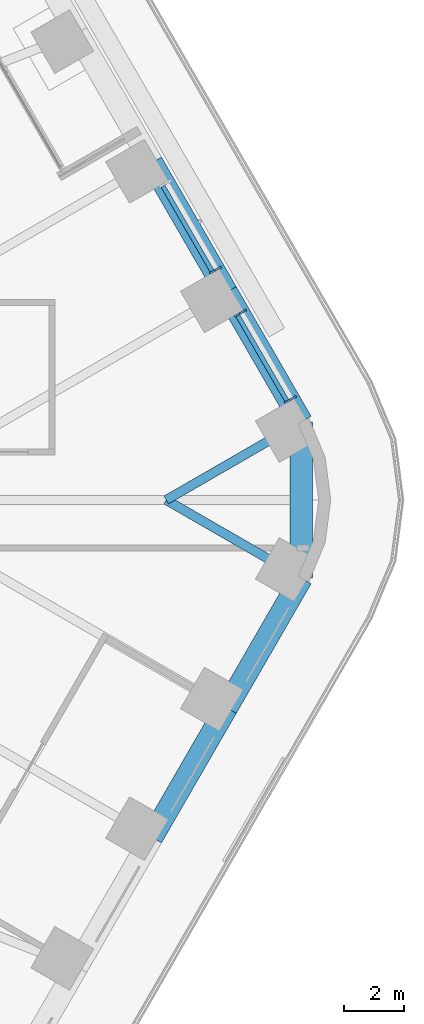
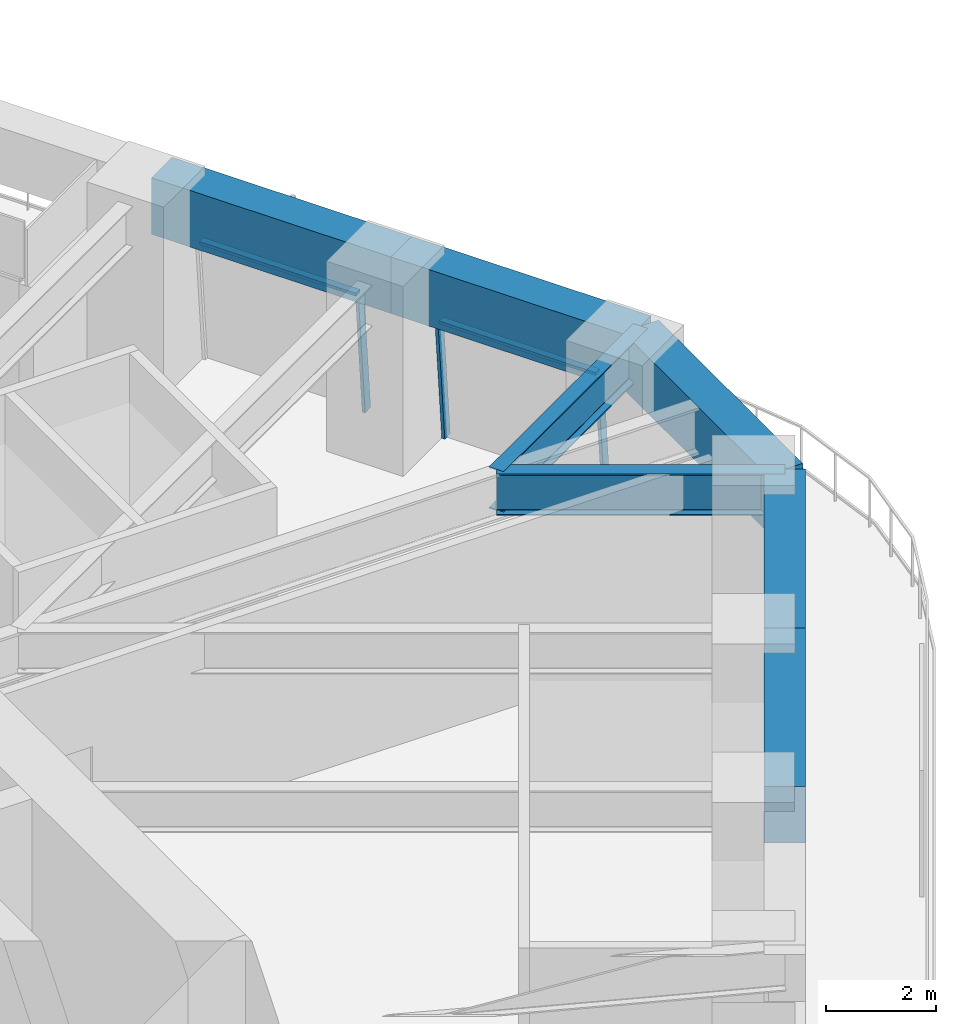
# One storey, part 14 of 24: 7 beams, 5 members, 2 elements without a shape of their own.
"""IFC4 building model written with IfcOpenShell, lengths in metres."""

from ifc_helpers import new_model, si_unit, direction, frame, origin, origin_2d, place, context, subcontext, project, spatial, rectangle, i_section, extrude, material, material_profile, profile_set, type_object, element, aggregate, save


model = new_model("IFC4")

# Units and contexts
model_context = context("Model", 3, precision=1e-05, world=origin(), true_north=direction((0.0, 1.0)))
body_context = subcontext(model_context, "Body", "Model", "MODEL_VIEW")
ifc_project = project(units=[si_unit("LENGTHUNIT", "METRE"), si_unit("AREAUNIT", "SQUARE_METRE"), si_unit("VOLUMEUNIT", "CUBIC_METRE"), si_unit("PLANEANGLEUNIT", "RADIAN"), si_unit("MASSUNIT", "GRAM", prefix="KILO")], contexts=[model_context])

# Site, building, storey
site_placement = place(None, origin())
site = spatial("IfcSite", under=ifc_project, at=site_placement, CompositionType="ELEMENT")
building_placement = place(site_placement, origin())
building = spatial("IfcBuilding", under=site, at=building_placement, Name="Tarfa Lantern Tower", CompositionType="ELEMENT")
storey_placement = place(building_placement, frame((0.0, 0.0, 153.10009765625)))
storey = spatial("IfcBuildingStorey", under=building, at=storey_placement, Name="L34", CompositionType="ELEMENT", Elevation=153.10009765625)

# Curtain wall, members
ifc_material_1 = material(Name="Aluminium framed curtain wall", Category="aluminium")
curtain_wall_type = type_object("IfcCurtainWallType", Name="CW2 CANTED GLAZING MID ZONE 2750", PredefinedType="USERDEFINED", material=ifc_material_1)
curtain_wall_1_placement = place(storey_placement, origin())
curtain_wall_1 = element("IfcCurtainWall", 1, at=curtain_wall_1_placement, inside=storey, type_object=curtain_wall_type, Name="CW2 NE L34", ObjectType="CURTAIN WALL", PredefinedType="USERDEFINED")
ifc_material_2 = material(Name="Aluminium mullion", Category="aluminium")
ifc_material_profile_1 = material_profile(ifc_material_2, rectangle(XDim=0.06494140625, YDim=0.199951171875, at=origin_2d()), Name="AL MULLION 65x200")
ifc_profile_set_1 = profile_set([ifc_material_profile_1], Name="Aluminium mullion")
member_type_1 = type_object("IfcMemberType", Name="CWM1 MULLION 65x200", PredefinedType="MULLION", material=ifc_profile_set_1)
member_1_placement = place(storey_placement, frame((34.282470703125, 3.4208984375, 0.0), z_axis=(-0.078422950161, -0.045267813396, 0.995891894715), x_axis=(0.499919672301, -0.866071776036, 0.0)))
member_1 = element("IfcMember", 2, at=member_1_placement, type_object=member_type_1, Name="CW2 mullion 1", PredefinedType="MULLION", context=body_context, shape_type="SweptSolid", body=[
    extrude(rectangle(XDim=0.06494140625, YDim=0.199951171875, at=origin_2d()), origin(), (0.0, 0.0, 1.0), 2.76123046875),
])
member_2_placement = place(storey_placement, frame((32.613037109375, 6.312255859375, 0.0), z_axis=(-0.078335079308, -0.045268127094, 0.995898796073), x_axis=(0.500342721131, -0.865827443207, 0.0)))
member_2 = element("IfcMember", 3, at=member_2_placement, type_object=member_type_1, Name="CW2 mullion 2", PredefinedType="MULLION", context=body_context, shape_type="SweptSolid", body=[
    extrude(rectangle(XDim=0.06494140625, YDim=0.199951171875, at=origin_2d()), origin(), (0.0, 0.0, 1.0), 2.76123046875),
])

# Curtain wall, member
curtain_wall_2_placement = place(storey_placement, origin())
curtain_wall_2 = element("IfcCurtainWall", 4, at=curtain_wall_2_placement, inside=storey, type_object=curtain_wall_type, Name="CW2 NE L34", ObjectType="CURTAIN WALL", PredefinedType="USERDEFINED")
member_3_placement = place(storey_placement, frame((31.78076171875, 7.75439453125, 0.0), z_axis=(-0.078422950161, -0.045267813396, 0.995891894715), x_axis=(0.499919672301, -0.866071776036, 0.0)))
member_3 = element("IfcMember", 5, at=member_3_placement, type_object=member_type_1, Name="CW2 mullion 1", PredefinedType="MULLION", context=body_context, shape_type="SweptSolid", body=[
    extrude(rectangle(XDim=0.06494140625, YDim=0.199951171875, at=origin_2d()), origin(), (0.0, 0.0, 1.0), 2.76123046875),
])

# Member
ifc_material_3 = material(Name="Aluminium transom", Category="aluminium")
ifc_material_profile_2 = material_profile(ifc_material_3, rectangle(XDim=0.14990234375, YDim=0.06494140625, at=origin_2d()), Name="AL TRANSOM 150x65")
ifc_profile_set_2 = profile_set([ifc_material_profile_2], Name="Aluminium transom")
member_type_2 = type_object("IfcMemberType", Name="CWT1 TRANSOM 150x65", PredefinedType="USERDEFINED", material=ifc_profile_set_2)
member_4_placement = place(storey_placement, frame((34.05224609375, 3.32568359375, 2.71728515625), z_axis=(-0.499989298045, 0.866031582473, 0.0), x_axis=(-0.866031582473, -0.499989298045, 0.0)))
member_4 = element("IfcMember", 6, at=member_4_placement, type_object=member_type_2, Name="CW2 transom 1.2", ObjectType="TRANSOM", PredefinedType="USERDEFINED", context=body_context, shape_type="SweptSolid", body=[
    extrude(rectangle(XDim=0.14990234375, YDim=0.06494140625, at=origin_2d()), origin(), (0.0, 0.0, 1.0), 3.2734375),
])

aggregate(curtain_wall_1, [member_1, member_2, member_4])

member_5_placement = place(storey_placement, frame((31.550537109375, 7.658935546875, 2.71728515625), z_axis=(-0.500012937857, 0.86601793398, 0.0), x_axis=(-0.86601793398, -0.500012937857, 0.0)))
member_5 = element("IfcMember", 7, at=member_5_placement, type_object=member_type_2, Name="CW2 transom 1.2", ObjectType="TRANSOM", PredefinedType="USERDEFINED", context=body_context, shape_type="SweptSolid", body=[
    extrude(rectangle(XDim=0.14990234375, YDim=0.06494140625, at=origin_2d()), origin(), (0.0, 0.0, 1.0), 3.27392578125),
])

aggregate(curtain_wall_2, [member_3, member_5])

# Beams
ifc_material_4 = material(Name="Concrete C80/95", Category="concrete")
ifc_material_profile_3 = material_profile(ifc_material_4, rectangle(XDim=0.75, YDim=1.25, at=origin_2d()), Name="RC 750x1250")
ifc_profile_set_3 = profile_set([ifc_material_profile_3], Name="Concrete C80/95")
beam_type_1 = type_object("IfcBeamType", Name="EB2 RC 750x1250", PredefinedType="SPANDREL", material=ifc_profile_set_3)
for number, where, z_axis, x_axis, name in (
    (8, (34.54296875, 2.610107421875, 3.375), (-0.500022324899, 0.866012514114, 0.0), (-0.866012514114, -0.500022324899, 0.0), "Edge beam NE0"),
    (9, (32.041015625, 6.943359375, 3.375), (-0.500022324899, 0.866012514114, 0.0), (-0.866012514114, -0.500022324899, 0.0), "Edge beam NE1"),
    (10, (29.5390625, -11.276611328125, 3.375), (0.500022324899, 0.866012514114, 0.0), (-0.866012514114, 0.500022324899, 0.0), "Edge beam SE4"),
    (11, (32.041015625, -6.943359375, 3.375), (0.500022324899, 0.866012514114, 0.0), (-0.866012514114, 0.500022324899, 0.0), "Edge beam SE5"),
):
    element("IfcBeam", number, at=place(storey_placement, frame(where, z_axis=z_axis, x_axis=x_axis)), inside=storey, type_object=beam_type_1, Name=name, PredefinedType="SPANDREL", context=body_context, shape_type="SweptSolid", body=[
        extrude(rectangle(XDim=0.75, YDim=1.25, at=origin_2d()), origin(), (0.0, 0.0, 1.0), 5.003662109375),
    ])
beam_placement = place(storey_placement, frame((34.54296875, -2.610107421875, 3.375), z_axis=(0.0, 1.0, 0.0), x_axis=(-1.0, 0.0, 0.0)))
element("IfcBeam", 12, at=beam_placement, inside=storey, type_object=beam_type_1, Name="Edge beam SE6", PredefinedType="SPANDREL", context=body_context, shape_type="SweptSolid", body=[
    extrude(rectangle(XDim=0.75, YDim=1.25, at=origin_2d()), origin(), (0.0, 0.0, 1.0), 5.22021484375),
])
ifc_material_5 = material(Name="Steel S460M", Category="steel")
ifc_material_profile_4 = material_profile(ifc_material_5, i_section(OverallWidth=0.305419921875, OverallDepth=0.91845703125, WebThickness=0.017333984375, FlangeThickness=0.02783203125, FilletRadius=0.01904296875, at=origin_2d()), Name="UB914x305x253")
ifc_profile_set_4 = profile_set([ifc_material_profile_4], Name="Steel S460M")
beam_type_2 = type_object("IfcBeamType", Name="UB914x305x253", PredefinedType="BEAM", material=ifc_profile_set_4)
for number, where, z_axis, x_axis, name in (
    (13, (34.54296875, 2.610107421875, 3.540771484375), (-0.866021250859, -0.500007193008, 0.0), (0.500007193008, -0.866021250859, 0.0), "Floor beam NE0"),
    (14, (34.54296875, -2.610107421875, 3.540771484375), (-0.866021250859, 0.500007193008, 0.0), (-0.500007193008, -0.866021250859, 0.0), "Floor beam SE6"),
):
    element("IfcBeam", number, at=place(storey_placement, frame(where, z_axis=z_axis, x_axis=x_axis)), inside=storey, type_object=beam_type_2, Name=name, PredefinedType="BEAM", context=body_context, shape_type="SweptSolid", body=[
        extrude(i_section(OverallWidth=0.305419921875, OverallDepth=0.91845703125, WebThickness=0.017333984375, FlangeThickness=0.02783203125, FilletRadius=0.01904296875, at=origin_2d()), origin(), (0.0, 0.0, 1.0), 5.22021484375),
    ])

save(model, "model.ifc")
